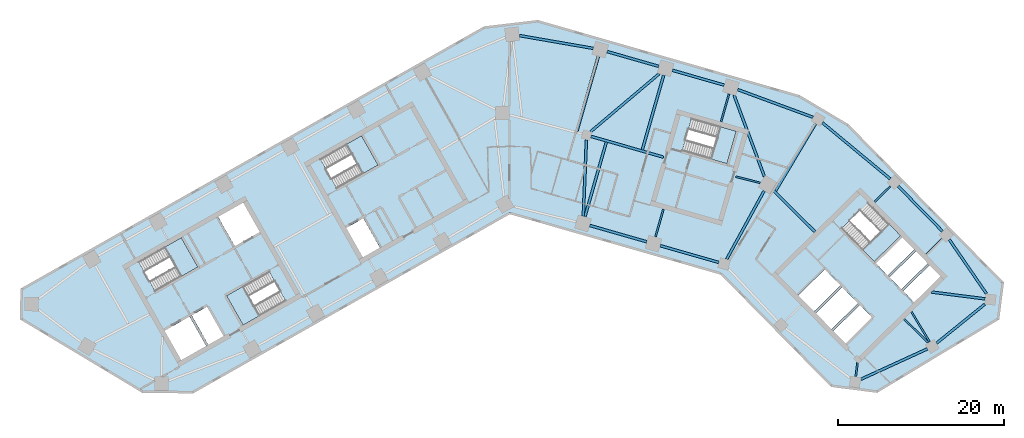
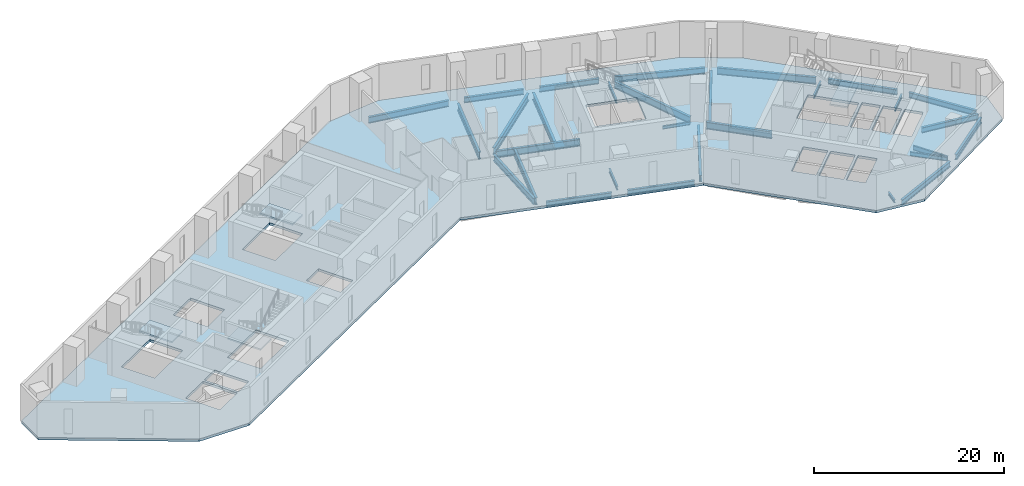
# One storey, part 2 of 10: 30 beams, 6 slabs, 5 elements without a shape of their own.
"""IFC4 building model written with IfcOpenShell, lengths in metres."""

from ifc_helpers import new_model, si_unit, direction, frame, origin, origin_2d, place, context, subcontext, project, spatial, polyline, i_section, outline, extrude, material, layer, layer_set, material_profile, profile_set, type_object, element, aggregate, save


model = new_model("IFC4")

# Units and contexts
model_context = context("Model", 3, precision=1e-05, world=origin(), true_north=direction((0.0, 1.0)))
body_context = subcontext(model_context, "Body", "Model", "MODEL_VIEW")
ifc_project = project(units=[si_unit("LENGTHUNIT", "METRE"), si_unit("AREAUNIT", "SQUARE_METRE"), si_unit("VOLUMEUNIT", "CUBIC_METRE"), si_unit("PLANEANGLEUNIT", "RADIAN"), si_unit("MASSUNIT", "GRAM", prefix="KILO")], contexts=[model_context])

# Site, building, storey
site_placement = place(None, origin())
site = spatial("IfcSite", under=ifc_project, at=site_placement, CompositionType="ELEMENT")
building_placement = place(site_placement, origin())
building = spatial("IfcBuilding", under=site, at=building_placement, Name="Binnacle Exchange Tower", CompositionType="ELEMENT")
storey_placement = place(building_placement, frame((0.0, 0.0, 51.5)))
storey = spatial("IfcBuildingStorey", under=building, at=storey_placement, Name="L10", CompositionType="ELEMENT", Elevation=51.5)

# Beams
ifc_material_1 = material(Name="Steel S355 (SHN355)", Category="steel")
ifc_material_profile_1 = material_profile(ifc_material_1, i_section(OverallWidth=0.300048828125, OverallDepth=0.699951171875, WebThickness=0.012939453125, FlangeThickness=0.02392578125, FilletRadius=0.028076171875, at=origin_2d()), Name="H 700x300x13x24")
ifc_profile_set_1 = profile_set([ifc_material_profile_1], Name="Steel S355 (SHN355)")
beam_type_1 = type_object("IfcBeamType", Name="Edge girder H 700x300x13x24 Steel S355 (SHN355)", PredefinedType="SPANDREL", material=ifc_profile_set_1)
beam_1_placement = place(storey_placement, frame((9.626708984375, 46.488037109375, -0.669921875), z_axis=(0.961260850036, -0.275640305812, 0.0), x_axis=(0.275640305812, 0.961260850036, 0.0)))
element("IfcBeam", 1, at=beam_1_placement, inside=storey, type_object=beam_type_1, Name="S:BM:edge:L10:030", PredefinedType="SPANDREL", context=body_context, shape_type="SweptSolid", body=[
    extrude(i_section(OverallWidth=0.300048828125, OverallDepth=0.699951171875, WebThickness=0.012939453125, FlangeThickness=0.02392578125, FilletRadius=0.028076171875, at=origin_2d()), origin(), (0.0, 0.0, 1.0), 7.120361328125),
])
beam_2_placement = place(storey_placement, frame((17.92919921875, 65.610595703125, -0.669921875), z_axis=(-0.961261624999, 0.275637603213, 0.0), x_axis=(-0.275637603213, -0.961261624999, 0.0)))
element("IfcBeam", 2, at=beam_2_placement, inside=storey, type_object=beam_type_1, Name="S:BM:edge:L10:032", PredefinedType="SPANDREL", context=body_context, shape_type="SweptSolid", body=[
    extrude(i_section(OverallWidth=0.300048828125, OverallDepth=0.699951171875, WebThickness=0.012939453125, FlangeThickness=0.02392578125, FilletRadius=0.028076171875, at=origin_2d()), origin(), (0.0, 0.0, 1.0), 6.472900390625),
])
beam_3_placement = place(storey_placement, frame((18.105224609375, 44.056884765625, -0.669921875), z_axis=(0.96126047873, -0.275641600691, 0.0), x_axis=(0.275641600691, 0.96126047873, 0.0)))
element("IfcBeam", 3, at=beam_3_placement, inside=storey, type_object=beam_type_1, Name="S:BM:edge:L10:033", PredefinedType="SPANDREL", context=body_context, shape_type="SweptSolid", body=[
    extrude(i_section(OverallWidth=0.300048828125, OverallDepth=0.699951171875, WebThickness=0.012939453125, FlangeThickness=0.02392578125, FilletRadius=0.028076171875, at=origin_2d()), origin(), (0.0, 0.0, 1.0), 7.320556640625),
])
beam_4_placement = place(storey_placement, frame((25.78564453125, 63.35791015625, -0.669921875), z_axis=(-0.961271618025, 0.275602751036, 0.0), x_axis=(-0.275602751036, -0.961271618025, 0.0)))
element("IfcBeam", 4, at=beam_4_placement, inside=storey, type_object=beam_type_1, Name="S:BM:edge:L10:034", PredefinedType="SPANDREL", context=body_context, shape_type="SweptSolid", body=[
    extrude(i_section(OverallWidth=0.300048828125, OverallDepth=0.699951171875, WebThickness=0.012939453125, FlangeThickness=0.02392578125, FilletRadius=0.028076171875, at=origin_2d()), origin(), (0.0, 0.0, 1.0), 6.472900390625),
])
beam_5_placement = place(storey_placement, frame((51.322265625, 32.343505859375, -0.669921875), z_axis=(0.777568489665, 0.628798253719, 0.0), x_axis=(-0.628798253719, 0.777568489665, 0.0)))
element("IfcBeam", 5, at=beam_5_placement, inside=storey, type_object=beam_type_1, Name="S:BM:edge:L10:040", PredefinedType="SPANDREL", context=body_context, shape_type="SweptSolid", body=[
    extrude(i_section(OverallWidth=0.300048828125, OverallDepth=0.699951171875, WebThickness=0.012939453125, FlangeThickness=0.02392578125, FilletRadius=0.028076171875, at=origin_2d()), origin(), (0.0, 0.0, 1.0), 7.428955078125),
])
beam_6_placement = place(storey_placement, frame((52.010986328125, 45.802978515625, -0.669921875), z_axis=(-0.700905226564, 0.713254417004, 0.0), x_axis=(-0.713254417004, -0.700905226564, 0.0)))
element("IfcBeam", 6, at=beam_6_placement, inside=storey, type_object=beam_type_1, Name="S:BM:edge:L10:041", PredefinedType="SPANDREL", context=body_context, shape_type="SweptSolid", body=[
    extrude(i_section(OverallWidth=0.300048828125, OverallDepth=0.699951171875, WebThickness=0.012939453125, FlangeThickness=0.02392578125, FilletRadius=0.028076171875, at=origin_2d()), origin(), (0.0, 0.0, 1.0), 7.57177734375),
])
beam_7_placement = place(storey_placement, frame((57.305419921875, 38.299072265625, -0.669921875), z_axis=(-0.566409202341, 0.82412415054, 0.0), x_axis=(-0.82412415054, -0.566409202341, 0.0)))
element("IfcBeam", 7, at=beam_7_placement, inside=storey, type_object=beam_type_1, Name="S:BM:edge:L10:042", PredefinedType="SPANDREL", context=body_context, shape_type="SweptSolid", body=[
    extrude(i_section(OverallWidth=0.300048828125, OverallDepth=0.699951171875, WebThickness=0.012939453125, FlangeThickness=0.02392578125, FilletRadius=0.028076171875, at=origin_2d()), origin(), (0.0, 0.0, 1.0), 7.8828125),
])
ifc_material_profile_2 = material_profile(ifc_material_1, i_section(OverallWidth=0.302001953125, OverallDepth=0.7080078125, WebThickness=0.014892578125, FlangeThickness=0.028076171875, FilletRadius=0.028076171875, at=origin_2d()), Name="H 708x302x15x28")
ifc_profile_set_2 = profile_set([ifc_material_profile_2], Name="Steel S355 (SHN355)")
beam_type_2 = type_object("IfcBeamType", Name="Edge girder H 708x302x15x28 Steel S355 (SHN355)", PredefinedType="SPANDREL", material=ifc_profile_set_2)
beam_8_placement = place(storey_placement, frame((42.215576171875, 27.99365234375, -0.674072265625), z_axis=(0.909179052108, 0.416405392866, 0.0), x_axis=(-0.416405392866, 0.909179052108, 0.0)))
element("IfcBeam", 8, at=beam_8_placement, inside=storey, type_object=beam_type_2, Name="S:BM:edge:L10:038", PredefinedType="SPANDREL", context=body_context, shape_type="SweptSolid", body=[
    extrude(i_section(OverallWidth=0.302001953125, OverallDepth=0.7080078125, WebThickness=0.014892578125, FlangeThickness=0.028076171875, FilletRadius=0.028076171875, at=origin_2d()), origin(), (0.0, 0.0, 1.0), 8.801025390625),
])
ifc_material_profile_3 = material_profile(ifc_material_1, i_section(OverallWidth=0.300048828125, OverallDepth=0.800048828125, WebThickness=0.013916015625, FlangeThickness=0.02587890625, FilletRadius=0.028076171875, at=origin_2d()), Name="H 800x300x14x26")
ifc_profile_set_3 = profile_set([ifc_material_profile_3], Name="Steel S355 (SHN355)")
beam_type_3 = type_object("IfcBeamType", Name="Edge girder H 800x300x14x26 Steel S355 (SHN355)", PredefinedType="SPANDREL", material=ifc_profile_set_3)
beam_9_placement = place(storey_placement, frame((10.047607421875, 67.77490234375, -0.719970703125), z_axis=(-0.985312460293, 0.17076110679, 0.0), x_axis=(-0.17076110679, -0.985312460293, 0.0)))
element("IfcBeam", 9, at=beam_9_placement, inside=storey, type_object=beam_type_3, Name="S:BM:edge:L10:031", PredefinedType="SPANDREL", context=body_context, shape_type="SweptSolid", body=[
    extrude(i_section(OverallWidth=0.300048828125, OverallDepth=0.800048828125, WebThickness=0.013916015625, FlangeThickness=0.02587890625, FilletRadius=0.028076171875, at=origin_2d()), origin(), (0.0, 0.0, 1.0), 9.005859375),
])
ifc_material_profile_4 = material_profile(ifc_material_1, i_section(OverallWidth=0.302001953125, OverallDepth=0.80810546875, WebThickness=0.01611328125, FlangeThickness=0.030029296875, FilletRadius=0.028076171875, at=origin_2d()), Name="H 808x302x16x30")
ifc_profile_set_4 = profile_set([ifc_material_profile_4], Name="Steel S355 (SHN355)")
beam_type_4 = type_object("IfcBeamType", Name="Edge girder H 808x302x16x30 Steel S355 (SHN355)", PredefinedType="SPANDREL", material=ifc_profile_set_4)
beam_10_placement = place(storey_placement, frame((36.464599609375, 59.490966796875, -0.72412109375), z_axis=(-0.938368148393, 0.345637408395, 0.0), x_axis=(-0.345637408395, -0.938368148393, 0.0)))
element("IfcBeam", 10, at=beam_10_placement, inside=storey, type_object=beam_type_4, Name="S:BM:edge:L10:037", PredefinedType="SPANDREL", context=body_context, shape_type="SweptSolid", body=[
    extrude(i_section(OverallWidth=0.302001953125, OverallDepth=0.80810546875, WebThickness=0.01611328125, FlangeThickness=0.030029296875, FilletRadius=0.028076171875, at=origin_2d()), origin(), (0.0, 0.0, 1.0), 9.6572265625),
])
ifc_material_profile_5 = material_profile(ifc_material_1, i_section(OverallWidth=0.300048828125, OverallDepth=0.89990234375, WebThickness=0.01611328125, FlangeThickness=0.028076171875, FilletRadius=0.028076171875, at=origin_2d()), Name="H 900x300x16x28")
ifc_profile_set_5 = profile_set([ifc_material_profile_5], Name="Steel S355 (SHN355)")
beam_type_5 = type_object("IfcBeamType", Name="Edge girder H 900x300x16x28 Steel S355 (SHN355)", PredefinedType="SPANDREL", material=ifc_profile_set_5)
beam_11_placement = place(storey_placement, frame((45.7451171875, 52.084228515625, -0.77001953125), z_axis=(-0.769906025895, 0.638157277864, 0.0), x_axis=(-0.638157277864, -0.769906025895, 0.0)))
element("IfcBeam", 11, at=beam_11_placement, inside=storey, type_object=beam_type_5, Name="S:BM:edge:L10:039", PredefinedType="SPANDREL", context=body_context, shape_type="SweptSolid", body=[
    extrude(i_section(OverallWidth=0.300048828125, OverallDepth=0.89990234375, WebThickness=0.01611328125, FlangeThickness=0.028076171875, FilletRadius=0.028076171875, at=origin_2d()), origin(), (0.0, 0.0, 1.0), 10.59033203125),
])
ifc_material_profile_6 = material_profile(ifc_material_1, i_section(OverallWidth=0.199951171875, OverallDepth=0.39990234375, WebThickness=0.008056640625, FlangeThickness=0.012939453125, FilletRadius=0.01611328125, at=origin_2d()), Name="H 400x200x8x13")
ifc_profile_set_6 = profile_set([ifc_material_profile_6], Name="Steel S355 (SHN355)")
beam_type_6 = type_object("IfcBeamType", Name="Floor beam H 400x200x8x13 Steel S355 (SHN355)", PredefinedType="BEAM", material=ifc_profile_set_6)
beam_12_placement = place(storey_placement, frame((41.601806640625, 28.319580078125, -0.52001953125), z_axis=(0.126197116971, 0.992005185303, 0.0), x_axis=(-0.992005185303, 0.126197116971, 0.0)))
element("IfcBeam", 12, at=beam_12_placement, inside=storey, type_object=beam_type_6, Name="S:BM:cross:L10:063", PredefinedType="BEAM", context=body_context, shape_type="SweptSolid", body=[
    extrude(i_section(OverallWidth=0.199951171875, OverallDepth=0.39990234375, WebThickness=0.008056640625, FlangeThickness=0.012939453125, FilletRadius=0.01611328125, at=origin_2d()), origin(), (0.0, 0.0, 1.0), 1.68115234375),
])
ifc_material_profile_7 = material_profile(ifc_material_1, i_section(OverallWidth=0.199951171875, OverallDepth=0.449951171875, WebThickness=0.009033203125, FlangeThickness=0.013916015625, FilletRadius=0.01806640625, at=origin_2d()), Name="H 450x200x9x14")
ifc_profile_set_7 = profile_set([ifc_material_profile_7], Name="Steel S355 (SHN355)")
beam_type_7 = type_object("IfcBeamType", Name="Floor beam H 450x200x9x14 Steel S355 (SHN355)", PredefinedType="BEAM", material=ifc_profile_set_7)
for number, where, z_axis, x_axis, name in (
    (13, (45.78466796875, 51.211669921875, -0.544921875), (-0.713299272232, -0.700859578113, 0.0), (0.700859578113, -0.713299272232, 0.0), "S:BM:cross:L10:064"),
    (14, (52.003173828125, 44.8837890625, -0.544921875), (-0.713254209224, -0.700905438004, 0.0), (0.700905438004, -0.713254209224, 0.0), "S:BM:cross:L10:066"),
):
    element("IfcBeam", number, at=place(storey_placement, frame(where, z_axis=z_axis, x_axis=x_axis)), inside=storey, type_object=beam_type_7, Name=name, PredefinedType="BEAM", context=body_context, shape_type="SweptSolid", body=[
        extrude(i_section(OverallWidth=0.199951171875, OverallDepth=0.449951171875, WebThickness=0.009033203125, FlangeThickness=0.013916015625, FilletRadius=0.01806640625, at=origin_2d()), origin(), (0.0, 0.0, 1.0), 2.70849609375),
    ])
ifc_material_profile_8 = material_profile(ifc_material_1, i_section(OverallWidth=0.200927734375, OverallDepth=0.506103515625, WebThickness=0.010986328125, FlangeThickness=0.01904296875, FilletRadius=0.02001953125, at=origin_2d()), Name="H 506x201x11x19")
ifc_profile_set_8 = profile_set([ifc_material_profile_8], Name="Steel S355 (SHN355)")
beam_type_8 = type_object("IfcBeamType", Name="Floor beam H 506x201x11x19 Steel S355 (SHN355)", PredefinedType="BEAM", material=ifc_profile_set_8)
for number, where, z_axis, x_axis, name in (
    (15, (17.5224609375, 45.108154296875, -0.572998046875), (0.275655468279, 0.961256502089, 0.0), (-0.961256502089, 0.275655468279, 0.0), "S:BM:cross:L10:058"),
    (16, (26.368408203125, 62.306396484375, -0.572998046875), (-0.275655468279, -0.961256502089, 0.0), (0.961256502089, -0.275655468279, 0.0), "S:BM:cross:L10:060"),
):
    element("IfcBeam", number, at=place(storey_placement, frame(where, z_axis=z_axis, x_axis=x_axis)), inside=storey, type_object=beam_type_8, Name=name, PredefinedType="BEAM", context=body_context, shape_type="SweptSolid", body=[
        extrude(i_section(OverallWidth=0.200927734375, OverallDepth=0.506103515625, WebThickness=0.010986328125, FlangeThickness=0.01904296875, FilletRadius=0.02001953125, at=origin_2d()), origin(), (0.0, 0.0, 1.0), 3.485107421875),
    ])
ifc_material_profile_9 = material_profile(ifc_material_1, i_section(OverallWidth=0.199951171875, OverallDepth=0.60009765625, WebThickness=0.010986328125, FlangeThickness=0.01708984375, FilletRadius=0.02197265625, at=origin_2d()), Name="H 600x200x11x17")
ifc_profile_set_9 = profile_set([ifc_material_profile_9], Name="Steel S355 (SHN355)")
beam_type_9 = type_object("IfcBeamType", Name="Floor beam H 600x200x11x17 Steel S355 (SHN355)", PredefinedType="BEAM", material=ifc_profile_set_9)
beam_13_placement = place(storey_placement, frame((50.477294921875, 32.488037109375, -0.6201171875), z_axis=(-0.515057466438, 0.857155648798, 0.0), x_axis=(-0.857155648798, -0.515057466438, 0.0)))
element("IfcBeam", 17, at=beam_13_placement, inside=storey, type_object=beam_type_9, Name="S:BM:cross:L10:065", PredefinedType="BEAM", context=body_context, shape_type="SweptSolid", body=[
    extrude(i_section(OverallWidth=0.199951171875, OverallDepth=0.60009765625, WebThickness=0.010986328125, FlangeThickness=0.01708984375, FilletRadius=0.02197265625, at=origin_2d()), origin(), (0.0, 0.0, 1.0), 4.2177734375),
])
ifc_material_profile_10 = material_profile(ifc_material_1, i_section(OverallWidth=0.300048828125, OverallDepth=0.699951171875, WebThickness=0.012939453125, FlangeThickness=0.02392578125, FilletRadius=0.028076171875, at=origin_2d()), Name="H 700x300x13x24")
ifc_profile_set_10 = profile_set([ifc_material_profile_10], Name="Steel S355 (SHN355)")
beam_type_10 = type_object("IfcBeamType", Name="Floor beam H 700x300x13x24 Steel S355 (SHN355)", PredefinedType="BEAM", material=ifc_profile_set_10)
beam_14_placement = place(storey_placement, frame((57.154296875, 37.6630859375, -0.669921875), z_axis=(-0.992006658356, 0.126185537116, 0.0), x_axis=(-0.126185537116, -0.992006658356, 0.0)))
element("IfcBeam", 18, at=beam_14_placement, inside=storey, type_object=beam_type_10, Name="S:BM:cross:L10:067", PredefinedType="BEAM", context=body_context, shape_type="SweptSolid", body=[
    extrude(i_section(OverallWidth=0.300048828125, OverallDepth=0.699951171875, WebThickness=0.012939453125, FlangeThickness=0.02392578125, FilletRadius=0.028076171875, at=origin_2d()), origin(), (0.0, 0.0, 1.0), 6.4814453125),
])
ifc_material_profile_11 = material_profile(ifc_material_1, i_section(OverallWidth=0.302978515625, OverallDepth=0.91796875, WebThickness=0.01904296875, FlangeThickness=0.037109375, FilletRadius=0.028076171875, at=origin_2d()), Name="H 918x303x19x37")
ifc_profile_set_11 = profile_set([ifc_material_profile_11], Name="Steel S355 (SHN355)")
beam_type_11 = type_object("IfcBeamType", Name="Floor beam H 918x303x19x37 Steel S355 (SHN355)", PredefinedType="BEAM", material=ifc_profile_set_11)
beam_15_placement = place(storey_placement, frame((9.043701171875, 47.539306640625, -0.779052734375), z_axis=(0.275646698205, 0.961259017003, 0.0), x_axis=(-0.961259017003, 0.275646698205, 0.0)))
element("IfcBeam", 19, at=beam_15_placement, inside=storey, type_object=beam_type_11, Name="S:BM:cross:L10:056", PredefinedType="BEAM", context=body_context, shape_type="SweptSolid", body=[
    extrude(i_section(OverallWidth=0.302978515625, OverallDepth=0.91796875, WebThickness=0.01904296875, FlangeThickness=0.037109375, FilletRadius=0.028076171875, at=origin_2d()), origin(), (0.0, 0.0, 1.0), 9.335205078125),
])
beam_16_placement = place(storey_placement, frame((10.65576171875, 66.81201171875, -0.779052734375), z_axis=(-0.275626703457, -0.961264750389, 0.0), x_axis=(0.961264750389, -0.275626703457, 0.0)))
element("IfcBeam", 20, at=beam_16_placement, inside=storey, type_object=beam_type_11, Name="S:BM:cross:L10:057", PredefinedType="BEAM", context=body_context, shape_type="SweptSolid", body=[
    extrude(i_section(OverallWidth=0.302978515625, OverallDepth=0.91796875, WebThickness=0.01904296875, FlangeThickness=0.037109375, FilletRadius=0.028076171875, at=origin_2d()), origin(), (0.0, 0.0, 1.0), 9.363525390625),
])
beam_17_placement = place(storey_placement, frame((18.511962890625, 64.55908203125, -0.779052734375), z_axis=(-0.275629461812, -0.961263959473, 0.0), x_axis=(0.961263959473, -0.275629461812, 0.0)))
element("IfcBeam", 21, at=beam_17_placement, inside=storey, type_object=beam_type_11, Name="S:BM:cross:L10:059", PredefinedType="BEAM", context=body_context, shape_type="SweptSolid", body=[
    extrude(i_section(OverallWidth=0.302978515625, OverallDepth=0.91796875, WebThickness=0.01904296875, FlangeThickness=0.037109375, FilletRadius=0.028076171875, at=origin_2d()), origin(), (0.0, 0.0, 1.0), 9.3349609375),
])
beam_18_placement = place(storey_placement, frame((36.752685546875, 58.703857421875, -0.779052734375), z_axis=(-0.511298188751, -0.859403375709, 0.0), x_axis=(0.859403375709, -0.511298188751, 0.0)))
element("IfcBeam", 22, at=beam_18_placement, inside=storey, type_object=beam_type_11, Name="S:BM:cross:L10:062", PredefinedType="BEAM", context=body_context, shape_type="SweptSolid", body=[
    extrude(i_section(OverallWidth=0.302978515625, OverallDepth=0.91796875, WebThickness=0.01904296875, FlangeThickness=0.037109375, FilletRadius=0.028076171875, at=origin_2d()), origin(), (0.0, 0.0, 1.0), 9.385986328125),
])
ifc_material_profile_12 = material_profile(ifc_material_1, i_section(OverallWidth=0.199951171875, OverallDepth=0.39990234375, WebThickness=0.008056640625, FlangeThickness=0.012939453125, FilletRadius=0.01611328125, at=origin_2d()), Name="H 400x200x8x13")
ifc_profile_set_12 = profile_set([ifc_material_profile_12], Name="Steel S355 (SHN355)")
beam_type_12 = type_object("IfcBeamType", Name="Spine girder H 400x200x8x13 Steel S355 (SHN355)", PredefinedType="BEAM", material=ifc_profile_set_12)
beam_19_placement = place(storey_placement, frame((27.17138671875, 52.35400390625, -0.52001953125), z_axis=(0.969359627701, -0.245645908136, 0.0), x_axis=(0.245645908136, 0.969359627701, 0.0)))
element("IfcBeam", 23, at=beam_19_placement, inside=storey, type_object=beam_type_12, Name="S:BM:spine:L10:010", PredefinedType="BEAM", context=body_context, shape_type="SweptSolid", body=[
    extrude(i_section(OverallWidth=0.199951171875, OverallDepth=0.39990234375, WebThickness=0.008056640625, FlangeThickness=0.012939453125, FilletRadius=0.01611328125, at=origin_2d()), origin(), (0.0, 0.0, 1.0), 3.046142578125),
])
ifc_material_profile_13 = material_profile(ifc_material_1, i_section(OverallWidth=0.200927734375, OverallDepth=0.506103515625, WebThickness=0.010986328125, FlangeThickness=0.01904296875, FilletRadius=0.02001953125, at=origin_2d()), Name="H 506x201x11x19")
ifc_profile_set_13 = profile_set([ifc_material_profile_13], Name="Steel S355 (SHN355)")
beam_type_13 = type_object("IfcBeamType", Name="Spine girder H 506x201x11x19 Steel S355 (SHN355)", PredefinedType="BEAM", material=ifc_profile_set_13)
beam_20_placement = place(storey_placement, frame((47.417236328125, 35.23095703125, -0.572998046875), z_axis=(0.717013275689, -0.697059511437, 0.0), x_axis=(0.697059511437, 0.717013275689, 0.0)))
element("IfcBeam", 24, at=beam_20_placement, inside=storey, type_object=beam_type_13, Name="S:BM:spine:L10:014", PredefinedType="BEAM", context=body_context, shape_type="SweptSolid", body=[
    extrude(i_section(OverallWidth=0.200927734375, OverallDepth=0.506103515625, WebThickness=0.010986328125, FlangeThickness=0.01904296875, FilletRadius=0.02001953125, at=origin_2d()), origin(), (0.0, 0.0, 1.0), 4.06201171875),
])
ifc_material_profile_14 = material_profile(ifc_material_1, i_section(OverallWidth=0.302001953125, OverallDepth=0.80810546875, WebThickness=0.01611328125, FlangeThickness=0.030029296875, FilletRadius=0.028076171875, at=origin_2d()), Name="H 808x302x16x30")
ifc_profile_set_14 = profile_set([ifc_material_profile_14], Name="Steel S355 (SHN355)")
beam_type_14 = type_object("IfcBeamType", Name="Spine girder H 808x302x16x30 Steel S355 (SHN355)", PredefinedType="BEAM", material=ifc_profile_set_14)
beam_21_placement = place(storey_placement, frame((9.218017578125, 56.78466796875, -0.72412109375), z_axis=(-0.040567083206, -0.999176817065, 0.0), x_axis=(0.999176817065, -0.040567083206, 0.0)))
element("IfcBeam", 25, at=beam_21_placement, inside=storey, type_object=beam_type_14, Name="S:BM:spine:L10:007", PredefinedType="BEAM", context=body_context, shape_type="SweptSolid", body=[
    extrude(i_section(OverallWidth=0.302001953125, OverallDepth=0.80810546875, WebThickness=0.01611328125, FlangeThickness=0.030029296875, FilletRadius=0.028076171875, at=origin_2d()), origin(), (0.0, 0.0, 1.0), 9.19580078125),
])
beam_22_placement = place(storey_placement, frame((30.580078125, 50.6396484375, -0.72412109375), z_axis=(-0.480716000085, -0.87687634662, 0.0), x_axis=(0.87687634662, -0.480716000085, 0.0)))
element("IfcBeam", 26, at=beam_22_placement, inside=storey, type_object=beam_type_14, Name="S:BM:spine:L10:011", PredefinedType="BEAM", context=body_context, shape_type="SweptSolid", body=[
    extrude(i_section(OverallWidth=0.302001953125, OverallDepth=0.80810546875, WebThickness=0.01611328125, FlangeThickness=0.030029296875, FilletRadius=0.028076171875, at=origin_2d()), origin(), (0.0, 0.0, 1.0), 9.34619140625),
])
ifc_material_profile_15 = material_profile(ifc_material_1, i_section(OverallWidth=0.302001953125, OverallDepth=0.912109375, WebThickness=0.01806640625, FlangeThickness=0.033935546875, FilletRadius=0.028076171875, at=origin_2d()), Name="H 912x302x18x34")
ifc_profile_set_15 = profile_set([ifc_material_profile_15], Name="Steel S355 (SHN355)")
beam_type_15 = type_object("IfcBeamType", Name="Spine girder H 912x302x18x34 Steel S355 (SHN355)", PredefinedType="BEAM", material=ifc_profile_set_15)
beam_23_placement = place(storey_placement, frame((9.74658203125, 57.77734375, -0.77587890625), z_axis=(0.764072930463, 0.64512987602, 0.0), x_axis=(-0.64512987602, 0.764072930463, 0.0)))
element("IfcBeam", 27, at=beam_23_placement, inside=storey, type_object=beam_type_15, Name="S:BM:spine:L10:008", PredefinedType="BEAM", context=body_context, shape_type="SweptSolid", body=[
    extrude(i_section(OverallWidth=0.302001953125, OverallDepth=0.912109375, WebThickness=0.01806640625, FlangeThickness=0.033935546875, FilletRadius=0.028076171875, at=origin_2d()), origin(), (0.0, 0.0, 1.0), 10.755615234375),
])
beam_24_placement = place(storey_placement, frame((30.614501953125, 52.389892578125, -0.77587890625), z_axis=(-0.350104624168, 0.936710602126, 0.0), x_axis=(-0.936710602126, -0.350104624168, 0.0)))
element("IfcBeam", 28, at=beam_24_placement, inside=storey, type_object=beam_type_15, Name="S:BM:spine:L10:012", PredefinedType="BEAM", context=body_context, shape_type="SweptSolid", body=[
    extrude(i_section(OverallWidth=0.302001953125, OverallDepth=0.912109375, WebThickness=0.01806640625, FlangeThickness=0.033935546875, FilletRadius=0.028076171875, at=origin_2d()), origin(), (0.0, 0.0, 1.0), 10.4013671875),
])
ifc_material_profile_16 = material_profile(ifc_material_1, i_section(OverallWidth=0.302978515625, OverallDepth=0.91796875, WebThickness=0.01904296875, FlangeThickness=0.037109375, FilletRadius=0.028076171875, at=origin_2d()), Name="H 918x303x19x37")
ifc_profile_set_16 = profile_set([ifc_material_profile_16], Name="Steel S355 (SHN355)")
beam_type_16 = type_object("IfcBeamType", Name="Spine girder H 918x303x19x37 Steel S355 (SHN355)", PredefinedType="BEAM", material=ifc_profile_set_16)
beam_25_placement = place(storey_placement, frame((9.76953125, 57.198486328125, -0.779052734375), z_axis=(0.961265329417, -0.275624684057, 0.0), x_axis=(0.275624684057, 0.961265329417, 0.0)))
element("IfcBeam", 29, at=beam_25_placement, inside=storey, type_object=beam_type_16, Name="S:BM:spine:L10:009", PredefinedType="BEAM", context=body_context, shape_type="SweptSolid", body=[
    extrude(i_section(OverallWidth=0.302978515625, OverallDepth=0.91796875, WebThickness=0.01904296875, FlangeThickness=0.037109375, FilletRadius=0.028076171875, at=origin_2d()), origin(), (0.0, 0.0, 1.0), 9.063232421875),
])
beam_26_placement = place(storey_placement, frame((31.60888671875, 50.773681640625, -0.779052734375), z_axis=(0.711013452478, -0.703178405809, 0.0), x_axis=(0.703178405809, 0.711013452478, 0.0)))
element("IfcBeam", 30, at=beam_26_placement, inside=storey, type_object=beam_type_16, Name="S:BM:spine:L10:013", PredefinedType="BEAM", context=body_context, shape_type="SweptSolid", body=[
    extrude(i_section(OverallWidth=0.302978515625, OverallDepth=0.91796875, WebThickness=0.01904296875, FlangeThickness=0.037109375, FilletRadius=0.028076171875, at=origin_2d()), origin(), (0.0, 0.0, 1.0), 7.166748046875),
])

# Slab
ifc_material_2 = material(Name="Concrete C35/45", Category="concrete")
ifc_layer_1 = layer(ifc_material_2, 0.320068359375)
ifc_layer_set_1 = layer_set([ifc_layer_1], Name="Floor slab 320 Concrete C35/45")
slab_type_1 = type_object("IfcSlabType", Name="Floor slab 320 Concrete C35/45", PredefinedType="FLOOR", material=ifc_layer_set_1)
slab_1_placement = place(storey_placement, frame((0.0, 0.0, -0.320068359375)))
element("IfcSlab", 31, at=slab_1_placement, inside=storey, type_object=slab_type_1, Name="S:SL:L10:01", PredefinedType="FLOOR", context=body_context, shape_type="SweptSolid", body=[
    extrude(outline(polyline([(59.262939453125, 39.5791015625), (58.716064453125, 35.280029296875), (44.14404296875, 26.5244140625), (38.69091796875, 27.21826171875), (25.43603515625, 40.706298828125), (0.0, 48.0), (-38.097900390625, 26.4453125), (-44.14404296875, 26.5244140625), (-58.716064453125, 35.280029296875), (-58.669921875, 38.80615234375), (-3.046142578125, 70.276611328125), (3.364501953125, 71.035400390625), (34.789794921875, 62.024169921875), (40.607421875, 58.56298828125), (59.262939453125, 39.5791015625)]), holes=[polyline([(-38.4794921875, 35.529296875), (-41.61279296875, 33.756591796875), (-39.544677734375, 30.10107421875), (-36.411376953125, 31.873779296875), (-38.4794921875, 35.529296875)]), polyline([(-34.322509765625, 33.0556640625), (-36.390625, 36.711181640625), (-38.21826171875, 35.677001953125), (-36.150146484375, 32.021484375), (-34.322509765625, 33.0556640625)]), polyline([(-34.040771484375, 38.04052734375), (-32.04638671875, 34.515625), (-26.9287109375, 37.4111328125), (-28.923095703125, 40.93603515625), (-34.040771484375, 38.04052734375)]), polyline([(-37.486572265625, 41.4912109375), (-39.480712890625, 45.01611328125), (-44.598388671875, 42.12060546875), (-42.604248046875, 38.595703125), (-37.486572265625, 41.4912109375)]), polyline([(-15.53076171875, 43.6875), (-17.598876953125, 47.343017578125), (-19.77490234375, 46.11181640625), (-17.70654296875, 42.456298828125), (-15.53076171875, 43.6875)]), polyline([(-29.914306640625, 45.775390625), (-31.982666015625, 49.430908203125), (-35.115966796875, 47.657958984375), (-33.047607421875, 44.00244140625), (-29.914306640625, 45.775390625)]), polyline([(-15.822509765625, 53.748046875), (-17.81689453125, 57.27294921875), (-22.760498046875, 54.47607421875), (-20.76611328125, 50.950927734375), (-15.822509765625, 53.748046875)]), polyline([(26.111328125, 53.9169921875), (27.227783203125, 57.810302734375), (21.864013671875, 59.348388671875), (20.74755859375, 55.455078125), (26.111328125, 53.9169921875)]), polyline([(40.268798828125, 32.201904296875), (43.549560546875, 35.426025390625), (42.07763671875, 36.923828125), (38.796875, 33.69970703125), (40.268798828125, 32.201904296875)]), polyline([(38.58642578125, 33.913818359375), (41.867431640625, 37.137939453125), (39.97509765625, 39.063720703125), (36.694091796875, 35.83935546875), (38.58642578125, 33.913818359375)]), polyline([(36.48388671875, 36.053466796875), (39.7646484375, 39.277587890625), (37.872314453125, 41.203369140625), (34.59130859375, 37.979248046875), (36.48388671875, 36.053466796875)]), polyline([(48.726806640625, 37.148681640625), (52.0078125, 40.372802734375), (50.577880859375, 41.827880859375), (47.296875, 38.603759765625), (48.726806640625, 37.148681640625)]), polyline([(47.086669921875, 38.817626953125), (50.36767578125, 42.0419921875), (48.944580078125, 43.48974609375), (45.663818359375, 40.265625), (47.086669921875, 38.817626953125)]), polyline([(45.45361328125, 40.4794921875), (48.734375, 43.703857421875), (47.3115234375, 45.151611328125), (44.030517578125, 41.927490234375), (45.45361328125, 40.4794921875)]), polyline([(43.8203125, 42.141357421875), (46.994384765625, 45.260498046875), (43.083251953125, 49.240478515625), (39.9091796875, 46.121337890625), (43.8203125, 42.141357421875)])]), origin(), (0.0, 0.0, 1.0), 0.320068359375),
])

# Stair, slab
stair_type = type_object("IfcStairType", Name="STAIR 28 RISERS 179", PredefinedType="HALF_TURN_STAIR", material=ifc_material_2)
stair_1_placement = place(storey_placement, origin())
stair_1 = element("IfcStair", 32, at=stair_1_placement, inside=storey, type_object=stair_type, Name="L10 Escape stair A1", PredefinedType="HALF_TURN_STAIR")
ifc_layer_2 = layer(ifc_material_2, 0.199951171875)
ifc_layer_set_2 = layer_set([ifc_layer_2], Name="STAIR LANDING 200")
slab_type_2 = type_object("IfcSlabType", Name="STAIR LANDING 200", PredefinedType="LANDING", material=ifc_layer_set_2)
slab_2_placement = place(storey_placement, frame((0.0, 0.0, 2.300048828125)))
slab_2 = element("IfcSlab", 33, at=slab_2_placement, type_object=slab_type_2, Name="STA1 landing 1", PredefinedType="LANDING", context=body_context, shape_type="SweptSolid", body=[
    extrude(outline(polyline([(-39.470947265625, 40.368408203125), (-37.486572265625, 41.4912109375), (-39.48095703125, 45.01611328125), (-41.46533203125, 43.893310546875), (-39.470947265625, 40.368408203125)])), origin(), (0.0, 0.0, 1.0), 0.199951171875),
])
aggregate(stair_1, [slab_2])

stair_2_placement = place(storey_placement, origin())
stair_2 = element("IfcStair", 34, at=stair_2_placement, inside=storey, type_object=stair_type, Name="L10 Escape stair A2", PredefinedType="HALF_TURN_STAIR")
slab_3_placement = place(storey_placement, frame((0.0, 0.0, 2.300048828125)))
slab_3 = element("IfcSlab", 35, at=slab_3_placement, type_object=slab_type_2, Name="STA2 landing 1", PredefinedType="LANDING", context=body_context, shape_type="SweptSolid", body=[
    extrude(outline(polyline([(-32.05615234375, 39.163330078125), (-34.040771484375, 38.04052734375), (-32.04638671875, 34.515625), (-30.06201171875, 35.638427734375), (-32.05615234375, 39.163330078125)])), origin(), (0.0, 0.0, 1.0), 0.199951171875),
])
aggregate(stair_2, [slab_3])

stair_3_placement = place(storey_placement, origin())
stair_3 = element("IfcStair", 36, at=stair_3_placement, inside=storey, type_object=stair_type, Name="L10 Escape stair B1", PredefinedType="HALF_TURN_STAIR")
slab_4_placement = place(storey_placement, frame((0.0, 0.0, 2.300048828125)))
slab_4 = element("IfcSlab", 37, at=slab_4_placement, type_object=slab_type_2, Name="STB1 landing 1", PredefinedType="LANDING", context=body_context, shape_type="SweptSolid", body=[
    extrude(outline(polyline([(42.4326171875, 43.5537109375), (43.8203125, 42.141357421875), (46.994384765625, 45.260498046875), (45.606689453125, 46.672607421875), (42.4326171875, 43.5537109375)])), origin(), (0.0, 0.0, 1.0), 0.199951171875),
])
aggregate(stair_3, [slab_4])

stair_4_placement = place(storey_placement, origin())
stair_4 = element("IfcStair", 38, at=stair_4_placement, inside=storey, type_object=stair_type, Name="L10 Escape stair C1", PredefinedType="HALF_TURN_STAIR")
slab_5_placement = place(storey_placement, frame((0.0, 0.0, 2.300048828125)))
slab_5 = element("IfcSlab", 39, at=slab_5_placement, type_object=slab_type_2, Name="STC1 landing 1", PredefinedType="LANDING", context=body_context, shape_type="SweptSolid", body=[
    extrude(outline(polyline([(-17.6328125, 52.7236328125), (-15.822509765625, 53.748046875), (-17.81689453125, 57.27294921875), (-19.627197265625, 56.248779296875), (-17.6328125, 52.7236328125)])), origin(), (0.0, 0.0, 1.0), 0.199951171875),
])
aggregate(stair_4, [slab_5])

stair_5_placement = place(storey_placement, origin())
stair_5 = element("IfcStair", 40, at=stair_5_placement, inside=storey, type_object=stair_type, Name="L10 Escape stair D1", PredefinedType="HALF_TURN_STAIR")
slab_6_placement = place(storey_placement, frame((0.0, 0.0, 2.300048828125)))
slab_6 = element("IfcSlab", 41, at=slab_6_placement, type_object=slab_type_2, Name="STD1 landing 1", PredefinedType="LANDING", context=body_context, shape_type="SweptSolid", body=[
    extrude(outline(polyline([(24.2080078125, 54.462890625), (26.111328125, 53.917236328125), (27.227783203125, 57.810302734375), (25.324462890625, 58.35595703125), (24.2080078125, 54.462890625)])), origin(), (0.0, 0.0, 1.0), 0.199951171875),
])
aggregate(stair_5, [slab_6])

save(model, "model.ifc")
